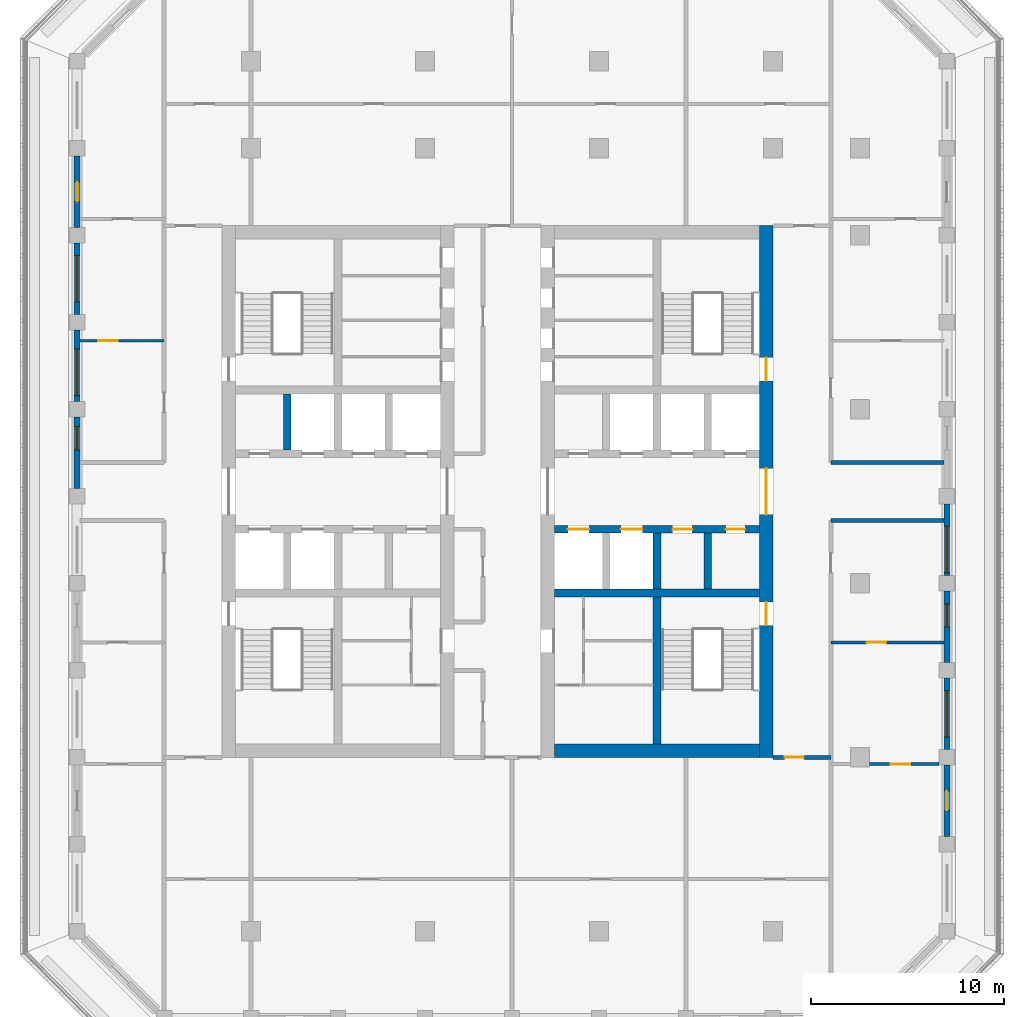
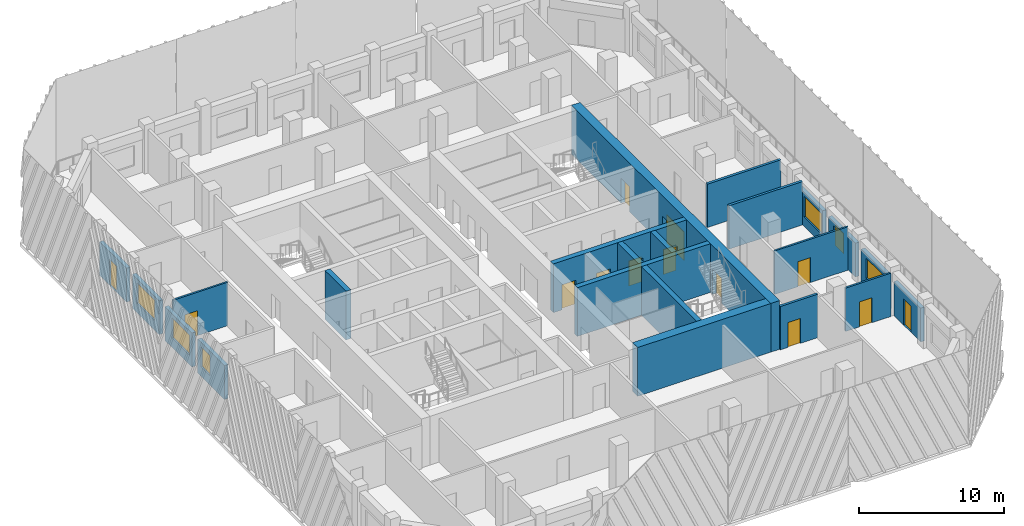
# One storey, part 5 of 17: 22 walls, 13 doors, 6 windows, 19 openings.
"""IFC4 building model written with IfcOpenShell, lengths in metres."""

from ifc_helpers import new_model, si_unit, direction, frame, frame_2d, origin, place, context, subcontext, project, spatial, rectangle, extrude, material, layer, layer_set, type_object, element, fill, save


model = new_model("IFC4")

# Units and contexts
model_context = context("Model", 3, precision=1e-05, world=origin(), true_north=direction((0.0, 1.0)))
body_context = subcontext(model_context, "Body", "Model", "MODEL_VIEW")
ifc_project = project(units=[si_unit("LENGTHUNIT", "METRE"), si_unit("AREAUNIT", "SQUARE_METRE"), si_unit("VOLUMEUNIT", "CUBIC_METRE"), si_unit("PLANEANGLEUNIT", "RADIAN"), si_unit("MASSUNIT", "GRAM", prefix="KILO")], contexts=[model_context])

# Site, building, storey
site_placement = place(None, origin())
site = spatial("IfcSite", under=ifc_project, at=site_placement, CompositionType="ELEMENT")
building_placement = place(site_placement, origin())
building = spatial("IfcBuilding", under=site, at=building_placement, Name="Corbel Stack Research Tower", CompositionType="ELEMENT")
storey_placement = place(building_placement, frame((0.0, 0.0, 239.800048828125)))
storey = spatial("IfcBuildingStorey", under=building, at=storey_placement, Name="L54", CompositionType="ELEMENT", Elevation=239.800048828125)

# Walls
ifc_material_1 = material(Name="Concrete C60/75", Category="concrete")
ifc_layer_1 = layer(ifc_material_1, 0.39990234375)
ifc_layer_set_1 = layer_set([ifc_layer_1], Name="Concrete C60/75")
wall_type_1 = type_object("IfcWallType", Name="CW-400-60", PredefinedType="SHEAR", material=ifc_layer_set_1)
wall_1_placement = place(storey_placement, frame((-7.125, 6.89990234375, 0.0), z_axis=(0.0, 0.0, 1.0), x_axis=(0.0, 1.0, 0.0)))
element("IfcWall", 1, at=wall_1_placement, inside=storey, type_object=wall_type_1, Name="West core wall, north shaft 1 L54", PredefinedType="SHEAR", context=body_context, shape_type="SweptSolid", body=[
    extrude(rectangle(XDim=2.900146484375, YDim=0.39990234375, at=frame_2d((1.4501953125, 0.0))), origin(), (0.0, 0.0, 1.0), 4.099853515625),
])
wall_2_placement = place(storey_placement, frame((6.699951171875, -0.5, 0.0), z_axis=(0.0, 0.0, 1.0), x_axis=(1.0, 0.0, 0.0)))
element("IfcWall", 2, at=wall_2_placement, inside=storey, type_object=wall_type_1, Name="East core wall, south row back L54", PredefinedType="SHEAR", context=body_context, shape_type="SweptSolid", body=[
    extrude(rectangle(XDim=10.60009765625, YDim=0.39990234375, at=frame_2d((5.300048828125, 0.0))), origin(), (0.0, 0.0, 1.0), 4.099853515625),
])

# Wall, openings, doors
wall_3_placement = place(storey_placement, frame((6.699951171875, 2.800048828125, 0.0), z_axis=(0.0, 0.0, 1.0), x_axis=(1.0, 0.0, 0.0)))
wall_3 = element("IfcWall", 3, at=wall_3_placement, inside=storey, type_object=wall_type_1, Name="East core wall, lobby south L54", PredefinedType="SHEAR", context=body_context, shape_type="SweptSolid", body=[
    extrude(rectangle(XDim=10.60009765625, YDim=0.39990234375, at=frame_2d((5.300048828125, 0.0))), origin(), (0.0, 0.0, 1.0), 4.099853515625),
])
opening_1_placement = place(wall_3_placement, frame((0.6875, 0.0, 0.0)))
opening_1 = element("IfcOpeningElement", 4, at=opening_1_placement, cuts=wall_3, Name="Opening LD-FS2", PredefinedType="OPENING", context=body_context, shape_type="SweptSolid", body=[
    extrude(rectangle(XDim=1.10009765625, YDim=2.10009765625, at=frame_2d((0.550048828125, 1.050048828125))), frame((0.0, 0.2099609375, 0.0), z_axis=(0.0, -1.0, 0.0), x_axis=(1.0, 0.0, 0.0)), (0.0, 0.0, 1.0), 0.419921875),
])
opening_2_placement = place(wall_3_placement, frame((3.4375, 0.0, 0.0)))
opening_2 = element("IfcOpeningElement", 5, at=opening_2_placement, cuts=wall_3, Name="Opening LD-GL2", PredefinedType="OPENING", context=body_context, shape_type="SweptSolid", body=[
    extrude(rectangle(XDim=1.10009765625, YDim=2.10009765625, at=frame_2d((0.550048828125, 1.050048828125))), frame((0.0, 0.2099609375, 0.0), z_axis=(0.0, -1.0, 0.0), x_axis=(1.0, 0.0, 0.0)), (0.0, 0.0, 1.0), 0.419921875),
])
opening_3_placement = place(wall_3_placement, frame((6.112548828125, 0.0, 0.0)))
opening_3 = element("IfcOpeningElement", 6, at=opening_3_placement, cuts=wall_3, Name="Opening CR-E66-S3", PredefinedType="OPENING", context=body_context, shape_type="SweptSolid", body=[
    extrude(rectangle(XDim=1.0, YDim=2.10009765625, at=frame_2d((0.5, 1.050048828125))), frame((0.0, 0.2099609375, 0.0), z_axis=(0.0, -1.0, 0.0), x_axis=(1.0, 0.0, 0.0)), (0.0, 0.0, 1.0), 0.419921875),
])
opening_4_placement = place(wall_3_placement, frame((8.862548828125, 0.0, 0.0)))
opening_4 = element("IfcOpeningElement", 7, at=opening_4_placement, cuts=wall_3, Name="Opening CR-E66-S4", PredefinedType="OPENING", context=body_context, shape_type="SweptSolid", body=[
    extrude(rectangle(XDim=1.0, YDim=2.10009765625, at=frame_2d((0.5, 1.050048828125))), frame((0.0, 0.2099609375, 0.0), z_axis=(0.0, -1.0, 0.0), x_axis=(1.0, 0.0, 0.0)), (0.0, 0.0, 1.0), 0.419921875),
])
ifc_material_2 = material(Name="Stainless steel landing door", Category="steel")
door_type_1 = type_object("IfcDoorType", Name="Lift landing door 1100 x 2100", OperationType="DOUBLE_DOOR_SLIDING", PredefinedType="DOOR", material=ifc_material_2)
door_1_placement = place(opening_1_placement, origin())
door_1 = element("IfcDoor", 8, at=door_1_placement, inside=storey, type_object=door_type_1, Name="Landing door FS2", OperationType="DOUBLE_DOOR_SLIDING", OverallHeight=2.10009765625, OverallWidth=1.10009765625, PredefinedType="DOOR", context=body_context, shape_type="SweptSolid", body=[
    extrude(rectangle(XDim=1.10009765625, YDim=2.10009765625, at=frame_2d((0.550048828125, 1.050048828125))), frame((0.0, 0.02490234375, 0.0), z_axis=(0.0, -1.0, 0.0), x_axis=(1.0, 0.0, 0.0)), (0.0, 0.0, 1.0), 0.050048828125),
])
fill(opening_1, door_1)
door_2_placement = place(opening_2_placement, origin())
door_2 = element("IfcDoor", 9, at=door_2_placement, inside=storey, type_object=door_type_1, Name="Landing door GL2", OperationType="DOUBLE_DOOR_SLIDING", OverallHeight=2.10009765625, OverallWidth=1.10009765625, PredefinedType="DOOR", context=body_context, shape_type="SweptSolid", body=[
    extrude(rectangle(XDim=1.10009765625, YDim=2.10009765625, at=frame_2d((0.550048828125, 1.050048828125))), frame((0.0, 0.02490234375, 0.0), z_axis=(0.0, -1.0, 0.0), x_axis=(1.0, 0.0, 0.0)), (0.0, 0.0, 1.0), 0.050048828125),
])
fill(opening_2, door_2)
ifc_material_3 = material(Name="Painted steel door", Category="steel")
door_type_2 = type_object("IfcDoorType", Name="Service door 1000 x 2100 FD60 left hand", OperationType="SINGLE_SWING_LEFT", PredefinedType="DOOR", material=ifc_material_3)
door_3_placement = place(opening_3_placement, origin())
door_3 = element("IfcDoor", 10, at=door_3_placement, inside=storey, type_object=door_type_2, Name="Copy and supply store door E core", OperationType="SINGLE_SWING_LEFT", OverallHeight=2.10009765625, OverallWidth=1.0, PredefinedType="DOOR", context=body_context, shape_type="SweptSolid", body=[
    extrude(rectangle(XDim=1.0, YDim=2.10009765625, at=frame_2d((0.5, 1.050048828125))), frame((0.0, 0.02490234375, 0.0), z_axis=(0.0, -1.0, 0.0), x_axis=(1.0, 0.0, 0.0)), (0.0, 0.0, 1.0), 0.050048828125),
])
fill(opening_3, door_3)
ifc_material_4 = material(Name="Painted steel door", Category="steel")
door_type_3 = type_object("IfcDoorType", Name="Service door 1000 x 2100 FD60 right hand", OperationType="SINGLE_SWING_RIGHT", PredefinedType="DOOR", material=ifc_material_4)
door_4_placement = place(opening_4_placement, origin())
door_4 = element("IfcDoor", 11, at=door_4_placement, inside=storey, type_object=door_type_3, Name="Records store door E core", OperationType="SINGLE_SWING_RIGHT", OverallHeight=2.10009765625, OverallWidth=1.0, PredefinedType="DOOR", context=body_context, shape_type="SweptSolid", body=[
    extrude(rectangle(XDim=1.0, YDim=2.10009765625, at=frame_2d((0.5, 1.050048828125))), frame((0.0, 0.02490234375, 0.0), z_axis=(0.0, -1.0, 0.0), x_axis=(1.0, 0.0, 0.0)), (0.0, 0.0, 1.0), 0.050048828125),
])
fill(opening_4, door_4)

# Walls
for number, where, z_axis, x_axis, name in (
    (12, (12.0, -0.300048828125, 0.0), (0.0, 0.0, 1.0), (0.0, 1.0, 0.0), "East core wall, south shaft 2 L54"),
    (13, (14.625, -0.300048828125, 0.0), (0.0, 0.0, 1.0), (0.0, 1.0, 0.0), "East core wall, south shaft 3 L54"),
):
    element("IfcWall", number, at=place(storey_placement, frame(where, z_axis=z_axis, x_axis=x_axis)), inside=storey, type_object=wall_type_1, Name=name, PredefinedType="SHEAR", context=body_context, shape_type="SweptSolid", body=[
        extrude(rectangle(XDim=2.900146484375, YDim=0.39990234375, at=frame_2d((1.4501953125, 0.0))), origin(), (0.0, 0.0, 1.0), 4.099853515625),
    ])
wall_4_placement = place(storey_placement, frame((12.0, -8.300048828125, 0.0), z_axis=(0.0, 0.0, 1.0), x_axis=(0.0, 1.0, 0.0)))
element("IfcWall", 14, at=wall_4_placement, inside=storey, type_object=wall_type_1, Name="East core wall, south stair and WC L54", PredefinedType="SHEAR", context=body_context, shape_type="SweptSolid", body=[
    extrude(rectangle(XDim=7.60009765625, YDim=0.39990234375, at=frame_2d((3.800048828125, 0.0))), origin(), (0.0, 0.0, 1.0), 4.099853515625),
])

# Wall, openings, doors
ifc_material_5 = material(Name="Concrete C60/75", Category="concrete")
ifc_layer_2 = layer(ifc_material_5, 0.699951171875)
ifc_layer_set_2 = layer_set([ifc_layer_2], Name="Concrete C60/75")
wall_type_2 = type_object("IfcWallType", Name="CW-700-60", PredefinedType="SHEAR", material=ifc_layer_set_2)
wall_5_placement = place(storey_placement, frame((17.64990234375, -9.0, 0.0), z_axis=(0.0, 0.0, 1.0), x_axis=(0.0, 1.0, 0.0)))
wall_5 = element("IfcWall", 15, at=wall_5_placement, inside=storey, type_object=wall_type_2, Name="East core wall, east face L54", PredefinedType="SHEAR", context=body_context, shape_type="SweptSolid", body=[
    extrude(rectangle(XDim=27.5, YDim=0.699951171875, at=frame_2d((13.75, 0.0))), origin(), (0.0, 0.0, 1.0), 4.099853515625),
])
opening_5_placement = place(wall_5_placement, frame((12.550048828125, 0.0, 0.0)))
opening_5 = element("IfcOpeningElement", 16, at=opening_5_placement, cuts=wall_5, Name="Opening CD-E-E", PredefinedType="OPENING", context=body_context, shape_type="SweptSolid", body=[
    extrude(rectangle(XDim=2.39990234375, YDim=2.39990234375, at=frame_2d((1.199951171875, 1.199951171875))), frame((0.0, 0.35986328125, 0.0), z_axis=(0.0, -1.0, 0.0), x_axis=(1.0, 0.0, 0.0)), (0.0, 0.0, 1.0), 0.719970703125),
])
opening_6_placement = place(wall_5_placement, frame((6.824951171875, 0.0, 0.0)))
opening_6 = element("IfcOpeningElement", 17, at=opening_6_placement, cuts=wall_5, Name="Opening SD-ST-E1", PredefinedType="OPENING", context=body_context, shape_type="SweptSolid", body=[
    extrude(rectangle(XDim=1.199951171875, YDim=2.10009765625, at=frame_2d((0.60009765625, 1.050048828125))), frame((0.0, 0.35986328125, 0.0), z_axis=(0.0, -1.0, 0.0), x_axis=(1.0, 0.0, 0.0)), (0.0, 0.0, 1.0), 0.719970703125),
])
opening_7_placement = place(wall_5_placement, frame((19.47509765625, 0.0, 0.0)))
opening_7 = element("IfcOpeningElement", 18, at=opening_7_placement, cuts=wall_5, Name="Opening SD-ST-E2", PredefinedType="OPENING", context=body_context, shape_type="SweptSolid", body=[
    extrude(rectangle(XDim=1.199951171875, YDim=2.10009765625, at=frame_2d((0.60009765625, 1.050048828125))), frame((0.0, 0.35986328125, 0.0), z_axis=(0.0, -1.0, 0.0), x_axis=(1.0, 0.0, 0.0)), (0.0, 0.0, 1.0), 0.719970703125),
])
ifc_material_6 = material(Name="Painted steel fire door", Category="steel")
door_type_4 = type_object("IfcDoorType", Name="Lobby door pair 2400 x 2400 FD30S", OperationType="DOUBLE_DOOR_DOUBLE_SWING", PredefinedType="DOOR", material=ifc_material_6)
door_5_placement = place(opening_5_placement, origin())
door_5 = element("IfcDoor", 19, at=door_5_placement, inside=storey, type_object=door_type_4, Name="Lift lobby door E core E", OperationType="DOUBLE_DOOR_DOUBLE_SWING", OverallHeight=2.39990234375, OverallWidth=2.39990234375, PredefinedType="DOOR", context=body_context, shape_type="SweptSolid", body=[
    extrude(rectangle(XDim=2.39990234375, YDim=2.39990234375, at=frame_2d((1.199951171875, 1.199951171875))), frame((0.0, 0.02490234375, 0.0), z_axis=(0.0, -1.0, 0.0), x_axis=(1.0, 0.0, 0.0)), (0.0, 0.0, 1.0), 0.050048828125),
])
fill(opening_5, door_5)
ifc_material_7 = material(Name="Painted steel fire door", Category="steel")
door_type_5 = type_object("IfcDoorType", Name="Stair door 1200 x 2100 FD90 right hand", OperationType="SINGLE_SWING_RIGHT", PredefinedType="DOOR", material=ifc_material_7)
door_6_placement = place(opening_6_placement, frame((1.199951171875, 0.0, 0.0), z_axis=(0.0, 0.0, 1.0), x_axis=(-1.0, 0.0, 0.0)))
door_6 = element("IfcDoor", 20, at=door_6_placement, inside=storey, type_object=door_type_5, Name="Stair door ST-E1", OperationType="SINGLE_SWING_LEFT", OverallHeight=2.10009765625, OverallWidth=1.199951171875, PredefinedType="DOOR", context=body_context, shape_type="SweptSolid", body=[
    extrude(rectangle(XDim=1.199951171875, YDim=2.10009765625, at=frame_2d((0.60009765625, 1.050048828125))), frame((0.0, 0.02490234375, 0.0), z_axis=(0.0, -1.0, 0.0), x_axis=(1.0, 0.0, 0.0)), (0.0, 0.0, 1.0), 0.050048828125),
])
fill(opening_6, door_6)
door_7_placement = place(opening_7_placement, frame((1.199951171875, 0.0, 0.0), z_axis=(0.0, 0.0, 1.0), x_axis=(-1.0, 0.0, 0.0)))
door_7 = element("IfcDoor", 21, at=door_7_placement, inside=storey, type_object=door_type_5, Name="Stair door ST-E2", OperationType="SINGLE_SWING_LEFT", OverallHeight=2.10009765625, OverallWidth=1.199951171875, PredefinedType="DOOR", context=body_context, shape_type="SweptSolid", body=[
    extrude(rectangle(XDim=1.199951171875, YDim=2.10009765625, at=frame_2d((0.60009765625, 1.050048828125))), frame((0.0, 0.02490234375, 0.0), z_axis=(0.0, -1.0, 0.0), x_axis=(1.0, 0.0, 0.0)), (0.0, 0.0, 1.0), 0.050048828125),
])
fill(opening_7, door_7)

# Wall
wall_6_placement = place(storey_placement, frame((6.699951171875, -8.64990234375, 0.0), z_axis=(0.0, 0.0, 1.0), x_axis=(1.0, 0.0, 0.0)))
element("IfcWall", 22, at=wall_6_placement, inside=storey, type_object=wall_type_2, Name="East core wall, south end L54", PredefinedType="SHEAR", context=body_context, shape_type="SweptSolid", body=[
    extrude(rectangle(XDim=10.60009765625, YDim=0.699951171875, at=frame_2d((5.300048828125, 0.0))), origin(), (0.0, 0.0, 1.0), 4.099853515625),
])

# Wall, opening, door
ifc_material_8 = material(Name="Fire-rated gypsum board partition on steel studs", Category="steel")
ifc_layer_3 = layer(ifc_material_8, 0.199951171875)
ifc_layer_set_3 = layer_set([ifc_layer_3], Name="Fire-rated gypsum board partition on steel studs")
wall_type_3 = type_object("IfcWallType", Name="Fire-rated partition 200 EI 60", PredefinedType="PARTITIONING", material=ifc_layer_set_3)
wall_7_placement = place(storey_placement, frame((21.0, -9.0, 0.0), z_axis=(0.0, 0.0, 1.0), x_axis=(-1.0, 0.0, 0.0)))
wall_7 = element("IfcWall", 23, at=wall_7_placement, inside=storey, type_object=wall_type_3, Name="Partition L54-023", PredefinedType="PARTITIONING", context=body_context, shape_type="SweptSolid", body=[
    extrude(rectangle(XDim=3.0, YDim=0.199951171875, at=frame_2d((1.5, 0.0))), origin(), (0.0, 0.0, 1.0), 3.64990234375),
])
opening_8_placement = place(wall_7_placement, frame((1.39990234375, 0.0, 0.0)))
opening_8 = element("IfcOpeningElement", 24, at=opening_8_placement, cuts=wall_7, Name="Opening B7V0-012", PredefinedType="OPENING", context=body_context, shape_type="SweptSolid", body=[
    extrude(rectangle(XDim=1.0, YDim=2.10009765625, at=frame_2d((0.5, 1.050048828125))), frame((0.0, 0.10986328125, 0.0), z_axis=(0.0, -1.0, 0.0), x_axis=(1.0, 0.0, 0.0)), (0.0, 0.0, 1.0), 0.219970703125),
])
ifc_material_9 = material(Name="Painted steel fire door", Category="steel")
door_type_6 = type_object("IfcDoorType", Name="Fire door FD30S 1000 x 2100", OperationType="NOTDEFINED", PredefinedType="DOOR", material=ifc_material_9)
door_8_placement = place(opening_8_placement, origin())
door_8 = element("IfcDoor", 25, at=door_8_placement, inside=storey, type_object=door_type_6, Name="Door B7V0-012", OperationType="SINGLE_SWING_RIGHT", OverallHeight=2.10009765625, OverallWidth=1.0, PredefinedType="DOOR", context=body_context, shape_type="SweptSolid", body=[
    extrude(rectangle(XDim=1.0, YDim=2.10009765625, at=frame_2d((0.5, 1.050048828125))), frame((0.0, 0.02490234375, 0.0), z_axis=(0.0, -1.0, 0.0), x_axis=(1.0, 0.0, 0.0)), (0.0, 0.0, 1.0), 0.050048828125),
])
fill(opening_8, door_8)

# Walls
for number, where, z_axis, x_axis, name in (
    (26, (21.0, 3.25, 0.0), (0.0, 0.0, 1.0), (1.0, 0.0, 0.0), "Partition L54-030"),
    (27, (21.0, 6.25, 0.0), (0.0, 0.0, 1.0), (1.0, 0.0, 0.0), "Partition L54-032"),
):
    element("IfcWall", number, at=place(storey_placement, frame(where, z_axis=z_axis, x_axis=x_axis)), inside=storey, type_object=wall_type_3, Name=name, PredefinedType="PARTITIONING", context=body_context, shape_type="SweptSolid", body=[
        extrude(rectangle(XDim=5.85009765625, YDim=0.199951171875, at=frame_2d((2.925048828125, 0.0))), origin(), (0.0, 0.0, 1.0), 3.64990234375),
    ])

# Wall, opening, door
ifc_material_10 = material(Name="Gypsum board partition on steel studs", Category="steel")
ifc_layer_4 = layer(ifc_material_10, 0.14990234375)
ifc_layer_set_4 = layer_set([ifc_layer_4], Name="Gypsum board partition on steel studs")
wall_type_4 = type_object("IfcWallType", Name="Partition 150", PredefinedType="PARTITIONING", material=ifc_layer_set_4)
wall_8_placement = place(storey_placement, frame((26.60009765625, -9.35009765625, 0.0), z_axis=(0.0, 0.0, 1.0), x_axis=(-1.0, 0.0, 0.0)))
wall_8 = element("IfcWall", 28, at=wall_8_placement, inside=storey, type_object=wall_type_4, Name="Partition L54-020", PredefinedType="PARTITIONING", context=body_context, shape_type="SweptSolid", body=[
    extrude(rectangle(XDim=3.60009765625, YDim=0.14990234375, at=frame_2d((1.800048828125, 0.0))), origin(), (0.0, 0.0, 1.0), 3.64990234375),
])
opening_9_placement = place(wall_8_placement, frame((1.5, 0.0, 0.0)))
opening_9 = element("IfcOpeningElement", 29, at=opening_9_placement, cuts=wall_8, Name="Opening B7V0-008", PredefinedType="OPENING", context=body_context, shape_type="SweptSolid", body=[
    extrude(rectangle(XDim=1.0, YDim=2.10009765625, at=frame_2d((0.5, 1.050048828125))), frame((0.0, 0.0849609375, 0.0), z_axis=(0.0, -1.0, 0.0), x_axis=(1.0, 0.0, 0.0)), (0.0, 0.0, 1.0), 0.169921875),
])
ifc_material_11 = material(Name="Painted timber door", Category="wood")
door_type_7 = type_object("IfcDoorType", Name="Single door 1000 x 2100", OperationType="NOTDEFINED", PredefinedType="DOOR", material=ifc_material_11)
door_9_placement = place(opening_9_placement, origin())
door_9 = element("IfcDoor", 30, at=door_9_placement, inside=storey, type_object=door_type_7, Name="Door B7V0-008", OperationType="SINGLE_SWING_RIGHT", OverallHeight=2.10009765625, OverallWidth=1.0, PredefinedType="DOOR", context=body_context, shape_type="SweptSolid", body=[
    extrude(rectangle(XDim=1.0, YDim=2.10009765625, at=frame_2d((0.5, 1.050048828125))), frame((0.0, 0.02490234375, 0.0), z_axis=(0.0, -1.0, 0.0), x_axis=(1.0, 0.0, 0.0)), (0.0, 0.0, 1.0), 0.050048828125),
])
fill(opening_9, door_9)

wall_9_placement = place(storey_placement, frame((26.85009765625, -3.050048828125, 0.0), z_axis=(0.0, 0.0, 1.0), x_axis=(-1.0, 0.0, 0.0)))
wall_9 = element("IfcWall", 31, at=wall_9_placement, inside=storey, type_object=wall_type_4, Name="Partition L54-026", PredefinedType="PARTITIONING", context=body_context, shape_type="SweptSolid", body=[
    extrude(rectangle(XDim=5.85009765625, YDim=0.14990234375, at=frame_2d((2.925048828125, 0.0))), origin(), (0.0, 0.0, 1.0), 3.64990234375),
])
opening_10_placement = place(wall_9_placement, frame((3.0, 0.0, 0.0)))
opening_10 = element("IfcOpeningElement", 32, at=opening_10_placement, cuts=wall_9, Name="Opening B7V0-014", PredefinedType="OPENING", context=body_context, shape_type="SweptSolid", body=[
    extrude(rectangle(XDim=1.0, YDim=2.10009765625, at=frame_2d((0.5, 1.050048828125))), frame((0.0, 0.0849609375, 0.0), z_axis=(0.0, -1.0, 0.0), x_axis=(1.0, 0.0, 0.0)), (0.0, 0.0, 1.0), 0.169921875),
])
door_10_placement = place(opening_10_placement, origin())
door_10 = element("IfcDoor", 33, at=door_10_placement, inside=storey, type_object=door_type_7, Name="Door B7V0-014", OperationType="SINGLE_SWING_RIGHT", OverallHeight=2.10009765625, OverallWidth=1.0, PredefinedType="DOOR", context=body_context, shape_type="SweptSolid", body=[
    extrude(rectangle(XDim=1.0, YDim=2.10009765625, at=frame_2d((0.5, 1.050048828125))), frame((0.0, 0.02490234375, 0.0), z_axis=(0.0, -1.0, 0.0), x_axis=(1.0, 0.0, 0.0)), (0.0, 0.0, 1.0), 0.050048828125),
])
fill(opening_10, door_10)

wall_10_placement = place(storey_placement, frame((-17.85009765625, 12.550048828125, 0.0), z_axis=(0.0, 0.0, 1.0), x_axis=(1.0, 0.0, 0.0)))
wall_10 = element("IfcWall", 34, at=wall_10_placement, inside=storey, type_object=wall_type_4, Name="Partition L54-034", PredefinedType="PARTITIONING", context=body_context, shape_type="SweptSolid", body=[
    extrude(rectangle(XDim=4.35009765625, YDim=0.14990234375, at=frame_2d((2.175048828125, 0.0))), origin(), (0.0, 0.0, 1.0), 3.64990234375),
])
opening_11_placement = place(wall_10_placement, frame((0.949951171875, 0.0, 0.0)))
opening_11 = element("IfcOpeningElement", 35, at=opening_11_placement, cuts=wall_10, Name="Opening B7V0-019", PredefinedType="OPENING", context=body_context, shape_type="SweptSolid", body=[
    extrude(rectangle(XDim=1.0, YDim=2.10009765625, at=frame_2d((0.5, 1.050048828125))), frame((0.0, 0.0849609375, 0.0), z_axis=(0.0, -1.0, 0.0), x_axis=(1.0, 0.0, 0.0)), (0.0, 0.0, 1.0), 0.169921875),
])
door_11_placement = place(opening_11_placement, origin())
door_11 = element("IfcDoor", 36, at=door_11_placement, inside=storey, type_object=door_type_7, Name="Door B7V0-019", OperationType="SINGLE_SWING_LEFT", OverallHeight=2.10009765625, OverallWidth=1.0, PredefinedType="DOOR", context=body_context, shape_type="SweptSolid", body=[
    extrude(rectangle(XDim=1.0, YDim=2.10009765625, at=frame_2d((0.5, 1.050048828125))), frame((0.0, 0.02490234375, 0.0), z_axis=(0.0, -1.0, 0.0), x_axis=(1.0, 0.0, 0.0)), (0.0, 0.0, 1.0), 0.050048828125),
])
fill(opening_11, door_11)

ifc_material_12 = material(Name="Concrete C45/55", Category="concrete")
ifc_layer_5 = layer(ifc_material_12, 0.300048828125)
ifc_layer_set_5 = layer_set([ifc_layer_5], Name="Concrete C45/55")
wall_type_5 = type_object("IfcWallType", Name="Terracotta-faced concrete wall 300", PredefinedType="SOLIDWALL", material=ifc_layer_set_5)
wall_11_placement = place(storey_placement, frame((27.0, -9.39990234375, 0.0), z_axis=(0.0, 0.0, 1.0), x_axis=(0.0, -1.0, 0.0)))
wall_11 = element("IfcWall", 37, at=wall_11_placement, inside=storey, type_object=wall_type_5, Name="Facade wall L54 E02", PredefinedType="SOLIDWALL", context=body_context, shape_type="SweptSolid", body=[
    extrude(rectangle(XDim=3.7001953125, YDim=0.300048828125, at=frame_2d((1.85009765625, 0.0))), origin(), (0.0, 0.0, 1.0), 2.849853515625),
])
opening_12_placement = place(wall_11_placement, frame((1.35009765625, 0.0, 0.0)))
opening_12 = element("IfcOpeningElement", 38, at=opening_12_placement, cuts=wall_11, Name="Opening L54-B04", PredefinedType="OPENING", context=body_context, shape_type="SweptSolid", body=[
    extrude(rectangle(XDim=1.0, YDim=2.199951171875, at=frame_2d((0.5, 1.10009765625))), frame((0.0, 0.159912109375, 0.0), z_axis=(0.0, -1.0, 0.0), x_axis=(1.0, 0.0, 0.0)), (0.0, 0.0, 1.0), 0.320068359375),
])
ifc_material_13 = material(Name="Aluminium frame, clear double glazing", Category="aluminium")
door_type_8 = type_object("IfcDoorType", Name="Balcony door BD1 1000 x 2200", OperationType="NOTDEFINED", PredefinedType="DOOR", material=ifc_material_13)
door_12_placement = place(opening_12_placement, origin())
door_12 = element("IfcDoor", 39, at=door_12_placement, inside=storey, type_object=door_type_8, Name="Balcony door L54-B04", OperationType="SINGLE_SWING_RIGHT", OverallHeight=2.199951171875, OverallWidth=1.0, PredefinedType="DOOR", context=body_context, shape_type="SweptSolid", body=[
    extrude(rectangle(XDim=1.0, YDim=2.199951171875, at=frame_2d((0.5, 1.10009765625))), frame((0.0, 0.02490234375, 0.0), z_axis=(0.0, -1.0, 0.0), x_axis=(1.0, 0.0, 0.0)), (0.0, 0.0, 1.0), 0.050048828125),
])
fill(opening_12, door_12)

# Wall, opening, window
wall_12_placement = place(storey_placement, frame((27.0, -4.89990234375, 0.0), z_axis=(0.0, 0.0, 1.0), x_axis=(0.0, -1.0, 0.0)))
wall_12 = element("IfcWall", 40, at=wall_12_placement, inside=storey, type_object=wall_type_5, Name="Facade wall L54 E03", PredefinedType="SOLIDWALL", context=body_context, shape_type="SweptSolid", body=[
    extrude(rectangle(XDim=3.7001953125, YDim=0.300048828125, at=frame_2d((1.85009765625, 0.0))), origin(), (0.0, 0.0, 1.0), 2.849853515625),
])
opening_13_placement = place(wall_12_placement, frame((0.64990234375, 0.0, 0.800048828125)))
opening_13 = element("IfcOpeningElement", 41, at=opening_13_placement, cuts=wall_12, Name="Opening W1", PredefinedType="OPENING", context=body_context, shape_type="SweptSolid", body=[
    extrude(rectangle(XDim=2.39990234375, YDim=1.699951171875, at=frame_2d((1.199951171875, 0.85009765625))), frame((0.0, 0.159912109375, 0.0), z_axis=(0.0, -1.0, 0.0), x_axis=(1.0, 0.0, 0.0)), (0.0, 0.0, 1.0), 0.320068359375),
])
ifc_material_14 = material(Name="Aluminium frame, clear double glazing", Category="aluminium")
window_type_1 = type_object("IfcWindowType", Name="Window W1 2400 x 1700", PartitioningType="SINGLE_PANEL", PredefinedType="WINDOW", material=ifc_material_14)
window_1_placement = place(opening_13_placement, origin())
window_1 = element("IfcWindow", 42, at=window_1_placement, inside=storey, type_object=window_type_1, Name="Window W1 L54 E03", OverallHeight=1.699951171875, OverallWidth=2.39990234375, PartitioningType="SINGLE_PANEL", PredefinedType="WINDOW", context=body_context, shape_type="SweptSolid", body=[
    extrude(rectangle(XDim=2.39990234375, YDim=1.699951171875, at=frame_2d((1.199951171875, 0.85009765625))), frame((0.0, 0.030029296875, 0.0), z_axis=(0.0, -1.0, 0.0), x_axis=(1.0, 0.0, 0.0)), (0.0, 0.0, 1.0), 0.06005859375),
])
fill(opening_13, window_1)

wall_13_placement = place(storey_placement, frame((27.0, -0.39990234375, 0.0), z_axis=(0.0, 0.0, 1.0), x_axis=(0.0, -1.0, 0.0)))
wall_13 = element("IfcWall", 43, at=wall_13_placement, inside=storey, type_object=wall_type_5, Name="Facade wall L54 E04", PredefinedType="SOLIDWALL", context=body_context, shape_type="SweptSolid", body=[
    extrude(rectangle(XDim=3.7001953125, YDim=0.300048828125, at=frame_2d((1.85009765625, 0.0))), origin(), (0.0, 0.0, 1.0), 2.849853515625),
])
opening_14_placement = place(wall_13_placement, frame((0.66259765625, 0.0, 0.800048828125)))
opening_14 = element("IfcOpeningElement", 44, at=opening_14_placement, cuts=wall_13, Name="Opening W2", PredefinedType="OPENING", context=body_context, shape_type="SweptSolid", body=[
    extrude(rectangle(XDim=1.199951171875, YDim=1.699951171875, at=frame_2d((0.60009765625, 0.85009765625))), frame((0.0, 0.159912109375, 0.0), z_axis=(0.0, -1.0, 0.0), x_axis=(1.0, 0.0, 0.0)), (0.0, 0.0, 1.0), 0.320068359375),
])
ifc_material_15 = material(Name="Aluminium frame, clear double glazing", Category="aluminium")
window_type_2 = type_object("IfcWindowType", Name="Window W2 1200 x 1700", PartitioningType="SINGLE_PANEL", PredefinedType="WINDOW", material=ifc_material_15)
window_2_placement = place(opening_14_placement, origin())
window_2 = element("IfcWindow", 45, at=window_2_placement, inside=storey, type_object=window_type_2, Name="Window W2 L54 E04", OverallHeight=1.699951171875, OverallWidth=1.199951171875, PartitioningType="SINGLE_PANEL", PredefinedType="WINDOW", context=body_context, shape_type="SweptSolid", body=[
    extrude(rectangle(XDim=1.199951171875, YDim=1.699951171875, at=frame_2d((0.60009765625, 0.85009765625))), frame((0.0, 0.030029296875, 0.0), z_axis=(0.0, -1.0, 0.0), x_axis=(1.0, 0.0, 0.0)), (0.0, 0.0, 1.0), 0.06005859375),
])
fill(opening_14, window_2)

wall_14_placement = place(storey_placement, frame((27.0, 4.10009765625, 0.0), z_axis=(0.0, 0.0, 1.0), x_axis=(0.0, -1.0, 0.0)))
wall_14 = element("IfcWall", 46, at=wall_14_placement, inside=storey, type_object=wall_type_5, Name="Facade wall L54 E05", PredefinedType="SOLIDWALL", context=body_context, shape_type="SweptSolid", body=[
    extrude(rectangle(XDim=3.7001953125, YDim=0.300048828125, at=frame_2d((1.85009765625, 0.0))), origin(), (0.0, 0.0, 1.0), 2.849853515625),
])
opening_15_placement = place(wall_14_placement, frame((1.14990234375, 0.0, 0.800048828125)))
opening_15 = element("IfcOpeningElement", 47, at=opening_15_placement, cuts=wall_14, Name="Opening W1", PredefinedType="OPENING", context=body_context, shape_type="SweptSolid", body=[
    extrude(rectangle(XDim=2.39990234375, YDim=1.699951171875, at=frame_2d((1.199951171875, 0.85009765625))), frame((0.0, 0.159912109375, 0.0), z_axis=(0.0, -1.0, 0.0), x_axis=(1.0, 0.0, 0.0)), (0.0, 0.0, 1.0), 0.320068359375),
])
window_3_placement = place(opening_15_placement, origin())
window_3 = element("IfcWindow", 48, at=window_3_placement, inside=storey, type_object=window_type_1, Name="Window W1 L54 E05", OverallHeight=1.699951171875, OverallWidth=2.39990234375, PartitioningType="SINGLE_PANEL", PredefinedType="WINDOW", context=body_context, shape_type="SweptSolid", body=[
    extrude(rectangle(XDim=2.39990234375, YDim=1.699951171875, at=frame_2d((1.199951171875, 0.85009765625))), frame((0.0, 0.030029296875, 0.0), z_axis=(0.0, -1.0, 0.0), x_axis=(1.0, 0.0, 0.0)), (0.0, 0.0, 1.0), 0.06005859375),
])
fill(opening_15, window_3)

# Wall, opening, door
wall_15_placement = place(storey_placement, frame((-18.0, 18.39990234375, 0.0), z_axis=(0.0, 0.0, 1.0), x_axis=(0.0, 1.0, 0.0)))
wall_15 = element("IfcWall", 49, at=wall_15_placement, inside=storey, type_object=wall_type_5, Name="Facade wall L54 W02", PredefinedType="SOLIDWALL", context=body_context, shape_type="SweptSolid", body=[
    extrude(rectangle(XDim=3.7001953125, YDim=0.300048828125, at=frame_2d((1.85009765625, 0.0))), origin(), (0.0, 0.0, 1.0), 2.849853515625),
])
opening_16_placement = place(wall_15_placement, frame((1.35009765625, 0.0, 0.0)))
opening_16 = element("IfcOpeningElement", 50, at=opening_16_placement, cuts=wall_15, Name="Opening L54-B10", PredefinedType="OPENING", context=body_context, shape_type="SweptSolid", body=[
    extrude(rectangle(XDim=1.0, YDim=2.199951171875, at=frame_2d((0.5, 1.10009765625))), frame((0.0, 0.159912109375, 0.0), z_axis=(0.0, -1.0, 0.0), x_axis=(1.0, 0.0, 0.0)), (0.0, 0.0, 1.0), 0.320068359375),
])
door_13_placement = place(opening_16_placement, origin())
door_13 = element("IfcDoor", 51, at=door_13_placement, inside=storey, type_object=door_type_8, Name="Balcony door L54-B10", OperationType="SINGLE_SWING_RIGHT", OverallHeight=2.199951171875, OverallWidth=1.0, PredefinedType="DOOR", context=body_context, shape_type="SweptSolid", body=[
    extrude(rectangle(XDim=1.0, YDim=2.199951171875, at=frame_2d((0.5, 1.10009765625))), frame((0.0, 0.02490234375, 0.0), z_axis=(0.0, -1.0, 0.0), x_axis=(1.0, 0.0, 0.0)), (0.0, 0.0, 1.0), 0.050048828125),
])
fill(opening_16, door_13)

# Wall, opening, window
wall_16_placement = place(storey_placement, frame((-18.0, 13.89990234375, 0.0), z_axis=(0.0, 0.0, 1.0), x_axis=(0.0, 1.0, 0.0)))
wall_16 = element("IfcWall", 52, at=wall_16_placement, inside=storey, type_object=wall_type_5, Name="Facade wall L54 W03", PredefinedType="SOLIDWALL", context=body_context, shape_type="SweptSolid", body=[
    extrude(rectangle(XDim=3.7001953125, YDim=0.300048828125, at=frame_2d((1.85009765625, 0.0))), origin(), (0.0, 0.0, 1.0), 2.849853515625),
])
opening_17_placement = place(wall_16_placement, frame((0.64990234375, 0.0, 0.800048828125)))
opening_17 = element("IfcOpeningElement", 53, at=opening_17_placement, cuts=wall_16, Name="Opening W1", PredefinedType="OPENING", context=body_context, shape_type="SweptSolid", body=[
    extrude(rectangle(XDim=2.39990234375, YDim=1.699951171875, at=frame_2d((1.199951171875, 0.85009765625))), frame((0.0, 0.159912109375, 0.0), z_axis=(0.0, -1.0, 0.0), x_axis=(1.0, 0.0, 0.0)), (0.0, 0.0, 1.0), 0.320068359375),
])
window_4_placement = place(opening_17_placement, origin())
window_4 = element("IfcWindow", 54, at=window_4_placement, inside=storey, type_object=window_type_1, Name="Window W1 L54 W03", OverallHeight=1.699951171875, OverallWidth=2.39990234375, PartitioningType="SINGLE_PANEL", PredefinedType="WINDOW", context=body_context, shape_type="SweptSolid", body=[
    extrude(rectangle(XDim=2.39990234375, YDim=1.699951171875, at=frame_2d((1.199951171875, 0.85009765625))), frame((0.0, 0.030029296875, 0.0), z_axis=(0.0, -1.0, 0.0), x_axis=(1.0, 0.0, 0.0)), (0.0, 0.0, 1.0), 0.06005859375),
])
fill(opening_17, window_4)

wall_17_placement = place(storey_placement, frame((-18.0, 9.39990234375, 0.0), z_axis=(0.0, 0.0, 1.0), x_axis=(0.0, 1.0, 0.0)))
wall_17 = element("IfcWall", 55, at=wall_17_placement, inside=storey, type_object=wall_type_5, Name="Facade wall L54 W04", PredefinedType="SOLIDWALL", context=body_context, shape_type="SweptSolid", body=[
    extrude(rectangle(XDim=3.7001953125, YDim=0.300048828125, at=frame_2d((1.85009765625, 0.0))), origin(), (0.0, 0.0, 1.0), 2.849853515625),
])
opening_18_placement = place(wall_17_placement, frame((0.3125, 0.0, 0.800048828125)))
opening_18 = element("IfcOpeningElement", 56, at=opening_18_placement, cuts=wall_17, Name="Opening W1", PredefinedType="OPENING", context=body_context, shape_type="SweptSolid", body=[
    extrude(rectangle(XDim=2.39990234375, YDim=1.699951171875, at=frame_2d((1.199951171875, 0.85009765625))), frame((0.0, 0.159912109375, 0.0), z_axis=(0.0, -1.0, 0.0), x_axis=(1.0, 0.0, 0.0)), (0.0, 0.0, 1.0), 0.320068359375),
])
window_5_placement = place(opening_18_placement, origin())
window_5 = element("IfcWindow", 57, at=window_5_placement, inside=storey, type_object=window_type_1, Name="Window W1 L54 W04", OverallHeight=1.699951171875, OverallWidth=2.39990234375, PartitioningType="SINGLE_PANEL", PredefinedType="WINDOW", context=body_context, shape_type="SweptSolid", body=[
    extrude(rectangle(XDim=2.39990234375, YDim=1.699951171875, at=frame_2d((1.199951171875, 0.85009765625))), frame((0.0, 0.030029296875, 0.0), z_axis=(0.0, -1.0, 0.0), x_axis=(1.0, 0.0, 0.0)), (0.0, 0.0, 1.0), 0.06005859375),
])
fill(opening_18, window_5)

wall_18_placement = place(storey_placement, frame((-18.0, 4.89990234375, 0.0), z_axis=(0.0, 0.0, 1.0), x_axis=(0.0, 1.0, 0.0)))
wall_18 = element("IfcWall", 58, at=wall_18_placement, inside=storey, type_object=wall_type_5, Name="Facade wall L54 W05", PredefinedType="SOLIDWALL", context=body_context, shape_type="SweptSolid", body=[
    extrude(rectangle(XDim=3.7001953125, YDim=0.300048828125, at=frame_2d((1.85009765625, 0.0))), origin(), (0.0, 0.0, 1.0), 2.849853515625),
])
opening_19_placement = place(wall_18_placement, frame((2.0, 0.0, 0.800048828125)))
opening_19 = element("IfcOpeningElement", 59, at=opening_19_placement, cuts=wall_18, Name="Opening W2", PredefinedType="OPENING", context=body_context, shape_type="SweptSolid", body=[
    extrude(rectangle(XDim=1.199951171875, YDim=1.699951171875, at=frame_2d((0.60009765625, 0.85009765625))), frame((0.0, 0.159912109375, 0.0), z_axis=(0.0, -1.0, 0.0), x_axis=(1.0, 0.0, 0.0)), (0.0, 0.0, 1.0), 0.320068359375),
])
window_6_placement = place(opening_19_placement, origin())
window_6 = element("IfcWindow", 60, at=window_6_placement, inside=storey, type_object=window_type_2, Name="Window W2 L54 W05", OverallHeight=1.699951171875, OverallWidth=1.199951171875, PartitioningType="SINGLE_PANEL", PredefinedType="WINDOW", context=body_context, shape_type="SweptSolid", body=[
    extrude(rectangle(XDim=1.199951171875, YDim=1.699951171875, at=frame_2d((0.60009765625, 0.85009765625))), frame((0.0, 0.030029296875, 0.0), z_axis=(0.0, -1.0, 0.0), x_axis=(1.0, 0.0, 0.0)), (0.0, 0.0, 1.0), 0.06005859375),
])
fill(opening_19, window_6)

save(model, "model.ifc")
